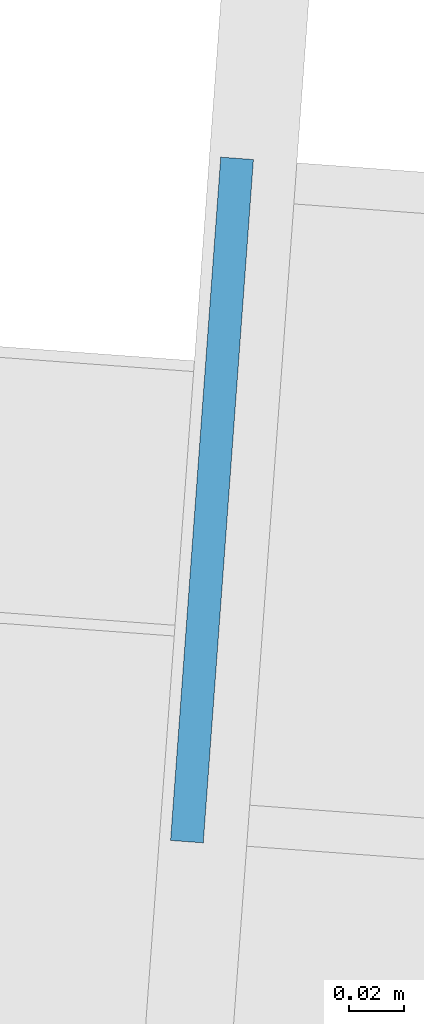
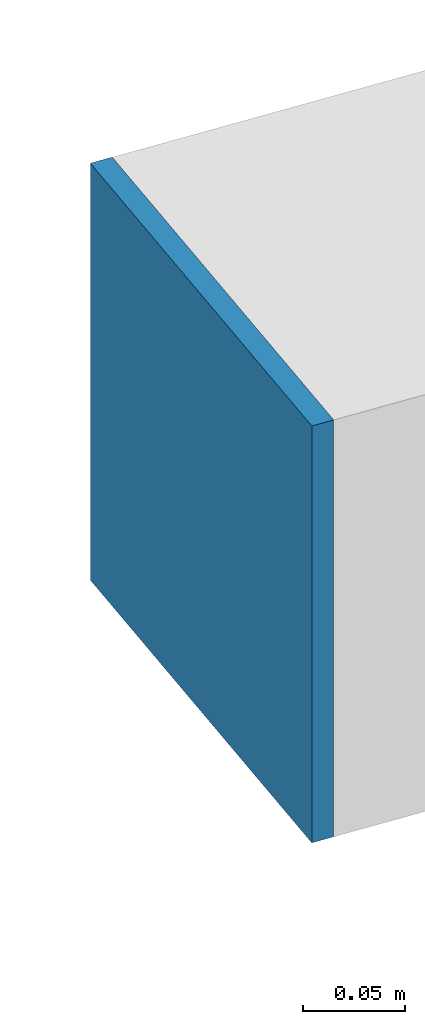
# One storey, part 43 of 56: 1 plate.
"""IFC4 building model written with IfcOpenShell, lengths in metres."""

from ifc_helpers import new_model, si_unit, direction, frame, origin, origin_2d, place, context, subcontext, project, spatial, rectangle, extrude, source, transform, mapped, material, layer, layer_set, type_object, element, save


model = new_model("IFC4")

# Units and contexts
model_context = context("Model", 3, precision=1e-05, world=origin(), true_north=direction((0.0, 1.0)))
body_context = subcontext(model_context, "Body", "Model", "MODEL_VIEW")
ifc_project = project(units=[si_unit("LENGTHUNIT", "METRE"), si_unit("AREAUNIT", "SQUARE_METRE"), si_unit("VOLUMEUNIT", "CUBIC_METRE"), si_unit("PLANEANGLEUNIT", "RADIAN"), si_unit("MASSUNIT", "GRAM", prefix="KILO")], contexts=[model_context])

# Site, building, storey
site_placement = place(None, origin())
site = spatial("IfcSite", under=ifc_project, at=site_placement, CompositionType="ELEMENT")
building_placement = place(site_placement, origin())
building = spatial("IfcBuilding", under=site, at=building_placement, Name="Taldren Reach Tower", CompositionType="ELEMENT")
storey_placement = place(building_placement, frame((0.0, 0.0, 253.050048828125)))
storey = spatial("IfcBuildingStorey", under=building, at=storey_placement, Name="L77", CompositionType="ELEMENT", Elevation=253.050048828125)

# Plate
ifc_material = material(Name="Steel Gr 350 (C350L0)", Category="steel")
ifc_layer = layer(ifc_material, 0.011962890625)
ifc_layer_set = layer_set([ifc_layer], Name="Steel Gr 350 (C350L0)")
plate_type = type_object("IfcPlateType", Name="PL-CAP-250", PredefinedType="SHEET", material=ifc_layer_set)
shared_shape = source(origin(), body_context, "Body", "SweptSolid", [
    extrude(rectangle(XDim=0.011962890625, YDim=0.25, at=origin_2d()), origin(), (0.0, 0.0, 1.0), 0.25),
])
plate_placement = place(storey_placement, frame((12.406494140625, 33.483154296875, 0.094970703125), z_axis=(0.0, 0.0, 1.0), x_axis=(0.997314477224, -0.073238197128, 0.0)))
element("IfcPlate", 1, at=plate_placement, inside=storey, type_object=plate_type, Name="Tie strut end cap plate B5-W3 L77", PredefinedType="SHEET", context=body_context, shape_type="MappedRepresentation", body=[
    mapped(shared_shape, transform((0.0, 0.0, 0.0), scale=1.0)),
])

save(model, "model.ifc")
